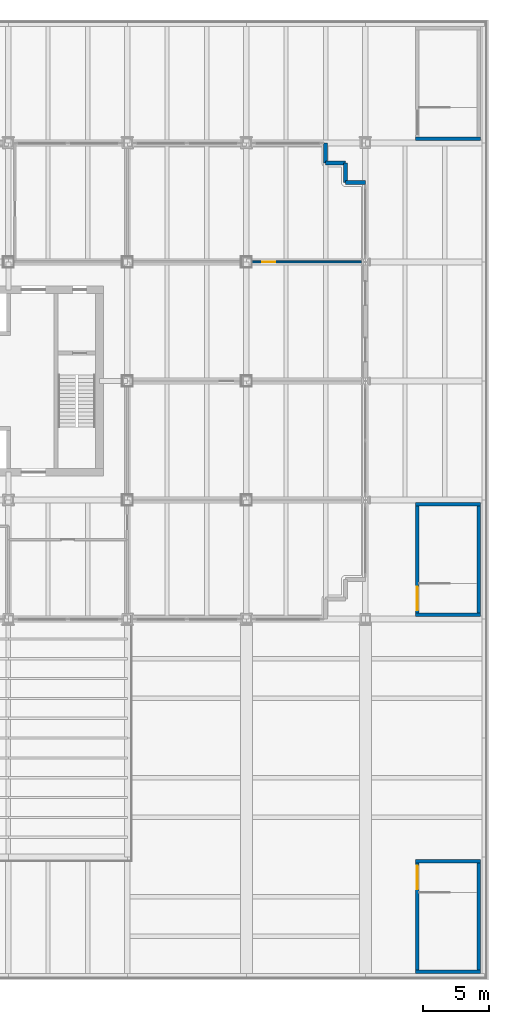
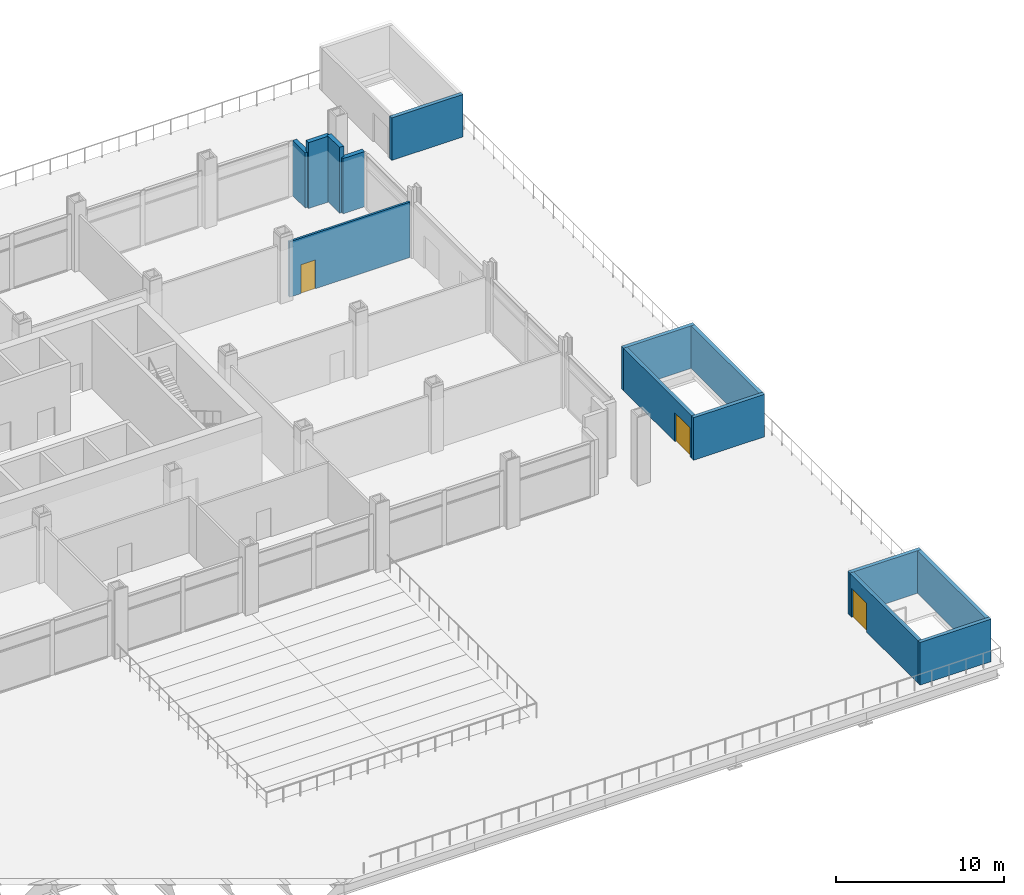
# One storey, part 10 of 16: 14 walls, 3 doors, 3 openings.
"""IFC4 building model written with IfcOpenShell, lengths in metres."""

from ifc_helpers import new_model, si_unit, direction, frame, frame_2d, origin, place, context, subcontext, project, spatial, rectangle, extrude, material, layer, layer_set, type_object, element, fill, save


model = new_model("IFC4")

# Units and contexts
model_context = context("Model", 3, precision=1e-05, world=origin(), true_north=direction((0.0, 1.0)))
body_context = subcontext(model_context, "Body", "Model", "MODEL_VIEW")
ifc_project = project(units=[si_unit("LENGTHUNIT", "METRE"), si_unit("AREAUNIT", "SQUARE_METRE"), si_unit("VOLUMEUNIT", "CUBIC_METRE"), si_unit("PLANEANGLEUNIT", "RADIAN"), si_unit("MASSUNIT", "GRAM", prefix="KILO")], contexts=[model_context])

# Site, building, storey
site_placement = place(None, origin())
site = spatial("IfcSite", under=ifc_project, at=site_placement, CompositionType="ELEMENT")
building_placement = place(site_placement, origin())
building = spatial("IfcBuilding", under=site, at=building_placement, Name="Loomwork Tower", CompositionType="ELEMENT")
storey_placement = place(building_placement, frame((0.0, 0.0, 23.0)))
storey = spatial("IfcBuildingStorey", under=building, at=storey_placement, Name="L04", CompositionType="ELEMENT", Elevation=23.0)

# Walls
ifc_material_1 = material(Name="Limestone on concrete masonry", Category="masonry")
ifc_layer_1 = layer(ifc_material_1, 0.300048828125)
ifc_layer_set_1 = layer_set([ifc_layer_1], Name="Limestone corner wall 300")
wall_type_1 = type_object("IfcWallType", Name="Limestone corner wall 300", PredefinedType="SOLIDWALL", material=ifc_layer_set_1)
wall_1_placement = place(storey_placement, frame((54.0, 33.0, 0.0), z_axis=(0.0, 0.0, 1.0), x_axis=(-1.0, 0.0, 0.0)))
element("IfcWall", 1, at=wall_1_placement, inside=storey, type_object=wall_type_1, Name="Stone corner wall NE 1", PredefinedType="SOLIDWALL", context=body_context, shape_type="SweptSolid", body=[
    extrude(rectangle(XDim=1.5, YDim=0.300048828125, at=frame_2d((0.75, 0.0))), origin(), (0.0, 0.0, 1.0), 4.02001953125),
])
for number, where, z_axis, x_axis, name in (
    (2, (52.5, 33.0, 0.0), (0.0, 0.0, 1.0), (0.0, 1.0, 0.0), "Stone corner wall NE 2"),
    (3, (52.5, 34.5, 0.0), (0.0, 0.0, 1.0), (-1.0, 0.0, 0.0), "Stone corner wall NE 3"),
):
    element("IfcWall", number, at=place(storey_placement, frame(where, z_axis=z_axis, x_axis=x_axis)), inside=storey, type_object=wall_type_1, Name=name, PredefinedType="SOLIDWALL", context=body_context, shape_type="SweptSolid", body=[
        extrude(rectangle(XDim=1.5, YDim=0.300048828125, at=frame_2d((0.75, 0.0))), origin(), (0.0, 0.0, 1.0), 4.800048828125),
    ])
wall_2_placement = place(storey_placement, frame((51.0, 34.5, 0.0), z_axis=(0.0, 0.0, 1.0), x_axis=(0.0, 1.0, 0.0)))
element("IfcWall", 4, at=wall_2_placement, inside=storey, type_object=wall_type_1, Name="Stone corner wall NE 4", PredefinedType="SOLIDWALL", context=body_context, shape_type="SweptSolid", body=[
    extrude(rectangle(XDim=1.5, YDim=0.300048828125, at=frame_2d((0.75, 0.0))), origin(), (0.0, 0.0, 1.0), 4.02001953125),
])

# Wall, opening, door
ifc_material_2 = material(Name="Gypsum board on steel studs, one-hour", Category="steel")
ifc_layer_2 = layer(ifc_material_2, 0.14990234375)
ifc_layer_set_2 = layer_set([ifc_layer_2], Name="Partition 150")
wall_type_2 = type_object("IfcWallType", Name="Partition 150", PredefinedType="PARTITIONING", material=ifc_layer_set_2)
wall_3_placement = place(storey_placement, frame((53.7001953125, 27.0, 0.0), z_axis=(0.0, 0.0, 1.0), x_axis=(-1.0, 0.0, 0.0)))
wall_3 = element("IfcWall", 5, at=wall_3_placement, inside=storey, type_object=wall_type_2, Name="Partition L04 26.1", PredefinedType="PARTITIONING", context=body_context, shape_type="SweptSolid", body=[
    extrude(rectangle(XDim=8.30029296875, YDim=0.14990234375, at=frame_2d((4.150146484375, 0.0))), origin(), (0.0, 0.0, 1.0), 4.0380859375),
])
opening_1_placement = place(wall_3_placement, frame((6.500244140625, 0.0, 0.0)))
opening_1 = element("IfcOpeningElement", 6, at=opening_1_placement, cuts=wall_3, Name="Opening D7", PredefinedType="OPENING", context=body_context, shape_type="SweptSolid", body=[
    extrude(rectangle(XDim=1.0, YDim=2.10009765625, at=frame_2d((0.5, 1.050048828125))), frame((0.0, 0.0849609375, 0.0), z_axis=(0.0, -1.0, 0.0), x_axis=(1.0, 0.0, 0.0)), (0.0, 0.0, 1.0), 0.169921875),
])
ifc_material_3 = material(Name="Hollow metal door and frame")
door_type_1 = type_object("IfcDoorType", Name="Room door 1000", OperationType="SINGLE_SWING_LEFT", PredefinedType="DOOR", material=ifc_material_3)
door_1_placement = place(opening_1_placement, frame((1.0, 0.0, 0.0), z_axis=(0.0, 0.0, 1.0), x_axis=(-1.0, 0.0, 0.0)))
door_1 = element("IfcDoor", 7, at=door_1_placement, inside=storey, type_object=door_type_1, Name="Business lounge door", OperationType="SINGLE_SWING_RIGHT", OverallHeight=2.10009765625, OverallWidth=1.0, PredefinedType="DOOR", context=body_context, shape_type="SweptSolid", body=[
    extrude(rectangle(XDim=1.0, YDim=2.10009765625, at=frame_2d((0.5, 1.050048828125))), frame((0.0, 0.02490234375, 0.0), z_axis=(0.0, -1.0, 0.0), x_axis=(1.0, 0.0, 0.0)), (0.0, 0.0, 1.0), 0.050048828125),
])
fill(opening_1, door_1)

# Walls
ifc_material_4 = material(Name="Concrete masonry, two-hour", Category="masonry")
ifc_layer_3 = layer(ifc_material_4, 0.25)
ifc_layer_set_3 = layer_set([ifc_layer_3], Name="Stair enclosure wall 250")
wall_type_3 = type_object("IfcWallType", Name="Stair enclosure wall 250", PredefinedType="SOLIDWALL", material=ifc_layer_set_3)
for number, where, z_axis, x_axis, name in (
    (8, (57.800048828125, -26.675048828125, 0.0), (0.0, 0.0, 1.0), (1.0, 0.0, 0.0), "Stair PS2 head-house wall S L04"),
    (9, (57.800048828125, -18.324951171875, 0.0), (0.0, 0.0, 1.0), (1.0, 0.0, 0.0), "Stair PS2 head-house wall N L04"),
):
    element("IfcWall", number, at=place(storey_placement, frame(where, z_axis=z_axis, x_axis=x_axis)), inside=storey, type_object=wall_type_3, Name=name, PredefinedType="SOLIDWALL", context=body_context, shape_type="SweptSolid", body=[
        extrude(rectangle(XDim=4.89990234375, YDim=0.25, at=frame_2d((2.449951171875, 0.0))), origin(), (0.0, 0.0, 1.0), 3.10009765625),
    ])

# Wall, opening, door
wall_4_placement = place(storey_placement, frame((57.925048828125, -26.550048828125, 0.0), z_axis=(0.0, 0.0, 1.0), x_axis=(0.0, 1.0, 0.0)))
wall_4 = element("IfcWall", 10, at=wall_4_placement, inside=storey, type_object=wall_type_3, Name="Stair PS2 head-house wall W L04", PredefinedType="SOLIDWALL", context=body_context, shape_type="SweptSolid", body=[
    extrude(rectangle(XDim=8.10009765625, YDim=0.25, at=frame_2d((4.050048828125, 0.0))), origin(), (0.0, 0.0, 1.0), 3.10009765625),
])
opening_2_placement = place(wall_4_placement, frame((6.10009765625, 0.0, 0.0)))
opening_2 = element("IfcOpeningElement", 11, at=opening_2_placement, cuts=wall_4, Name="Opening D14", PredefinedType="OPENING", context=body_context, shape_type="SweptSolid", body=[
    extrude(rectangle(XDim=1.800048828125, YDim=2.10009765625, at=frame_2d((0.89990234375, 1.050048828125))), frame((0.0, 0.135009765625, 0.0), z_axis=(0.0, -1.0, 0.0), x_axis=(1.0, 0.0, 0.0)), (0.0, 0.0, 1.0), 0.27001953125),
])
ifc_material_5 = material(Name="Hollow metal door and frame")
door_type_2 = type_object("IfcDoorType", Name="Stair double door 1800", OperationType="DOUBLE_DOOR_SINGLE_SWING", PredefinedType="DOOR", material=ifc_material_5)
door_2_placement = place(opening_2_placement, origin())
door_2 = element("IfcDoor", 12, at=door_2_placement, inside=storey, type_object=door_type_2, Name="Stair PS2 terrace door L04", OperationType="DOUBLE_DOOR_SINGLE_SWING", OverallHeight=2.10009765625, OverallWidth=1.800048828125, PredefinedType="DOOR", context=body_context, shape_type="SweptSolid", body=[
    extrude(rectangle(XDim=1.800048828125, YDim=2.10009765625, at=frame_2d((0.89990234375, 1.050048828125))), frame((0.0, 0.02490234375, 0.0), z_axis=(0.0, -1.0, 0.0), x_axis=(1.0, 0.0, 0.0)), (0.0, 0.0, 1.0), 0.050048828125),
])
fill(opening_2, door_2)

# Walls
wall_5_placement = place(storey_placement, frame((62.574951171875, -26.550048828125, 0.0), z_axis=(0.0, 0.0, 1.0), x_axis=(0.0, 1.0, 0.0)))
element("IfcWall", 13, at=wall_5_placement, inside=storey, type_object=wall_type_3, Name="Stair PS2 head-house wall E L04", PredefinedType="SOLIDWALL", context=body_context, shape_type="SweptSolid", body=[
    extrude(rectangle(XDim=8.10009765625, YDim=0.25, at=frame_2d((4.050048828125, 0.0))), origin(), (0.0, 0.0, 1.0), 3.10009765625),
])
for number, where, z_axis, x_axis, name in (
    (14, (57.800048828125, 36.324951171875, 0.0), (0.0, 0.0, 1.0), (1.0, 0.0, 0.0), "Stair PS4 head-house wall S L04"),
    (15, (57.800048828125, 0.324951171875, 0.0), (0.0, 0.0, 1.0), (1.0, 0.0, 0.0), "Stair PS6 head-house wall S L04"),
    (16, (57.800048828125, 8.675048828125, 0.0), (0.0, 0.0, 1.0), (1.0, 0.0, 0.0), "Stair PS6 head-house wall N L04"),
):
    element("IfcWall", number, at=place(storey_placement, frame(where, z_axis=z_axis, x_axis=x_axis)), inside=storey, type_object=wall_type_3, Name=name, PredefinedType="SOLIDWALL", context=body_context, shape_type="SweptSolid", body=[
        extrude(rectangle(XDim=4.89990234375, YDim=0.25, at=frame_2d((2.449951171875, 0.0))), origin(), (0.0, 0.0, 1.0), 3.10009765625),
    ])

# Wall, opening, door
wall_6_placement = place(storey_placement, frame((57.925048828125, 0.449951171875, 0.0), z_axis=(0.0, 0.0, 1.0), x_axis=(0.0, 1.0, 0.0)))
wall_6 = element("IfcWall", 17, at=wall_6_placement, inside=storey, type_object=wall_type_3, Name="Stair PS6 head-house wall W L04", PredefinedType="SOLIDWALL", context=body_context, shape_type="SweptSolid", body=[
    extrude(rectangle(XDim=8.10009765625, YDim=0.25, at=frame_2d((4.050048828125, 0.0))), origin(), (0.0, 0.0, 1.0), 3.10009765625),
])
opening_3_placement = place(wall_6_placement, frame((0.199951171875, 0.0, 0.0)))
opening_3 = element("IfcOpeningElement", 18, at=opening_3_placement, cuts=wall_6, Name="Opening D14", PredefinedType="OPENING", context=body_context, shape_type="SweptSolid", body=[
    extrude(rectangle(XDim=1.800048828125, YDim=2.10009765625, at=frame_2d((0.89990234375, 1.050048828125))), frame((0.0, 0.135009765625, 0.0), z_axis=(0.0, -1.0, 0.0), x_axis=(1.0, 0.0, 0.0)), (0.0, 0.0, 1.0), 0.27001953125),
])
door_3_placement = place(opening_3_placement, origin())
door_3 = element("IfcDoor", 19, at=door_3_placement, inside=storey, type_object=door_type_2, Name="Stair PS6 terrace door L04", OperationType="DOUBLE_DOOR_SINGLE_SWING", OverallHeight=2.10009765625, OverallWidth=1.800048828125, PredefinedType="DOOR", context=body_context, shape_type="SweptSolid", body=[
    extrude(rectangle(XDim=1.800048828125, YDim=2.10009765625, at=frame_2d((0.89990234375, 1.050048828125))), frame((0.0, 0.02490234375, 0.0), z_axis=(0.0, -1.0, 0.0), x_axis=(1.0, 0.0, 0.0)), (0.0, 0.0, 1.0), 0.050048828125),
])
fill(opening_3, door_3)

# Wall
wall_7_placement = place(storey_placement, frame((62.574951171875, 0.449951171875, 0.0), z_axis=(0.0, 0.0, 1.0), x_axis=(0.0, 1.0, 0.0)))
element("IfcWall", 20, at=wall_7_placement, inside=storey, type_object=wall_type_3, Name="Stair PS6 head-house wall E L04", PredefinedType="SOLIDWALL", context=body_context, shape_type="SweptSolid", body=[
    extrude(rectangle(XDim=8.10009765625, YDim=0.25, at=frame_2d((4.050048828125, 0.0))), origin(), (0.0, 0.0, 1.0), 3.10009765625),
])

save(model, "model.ifc")
